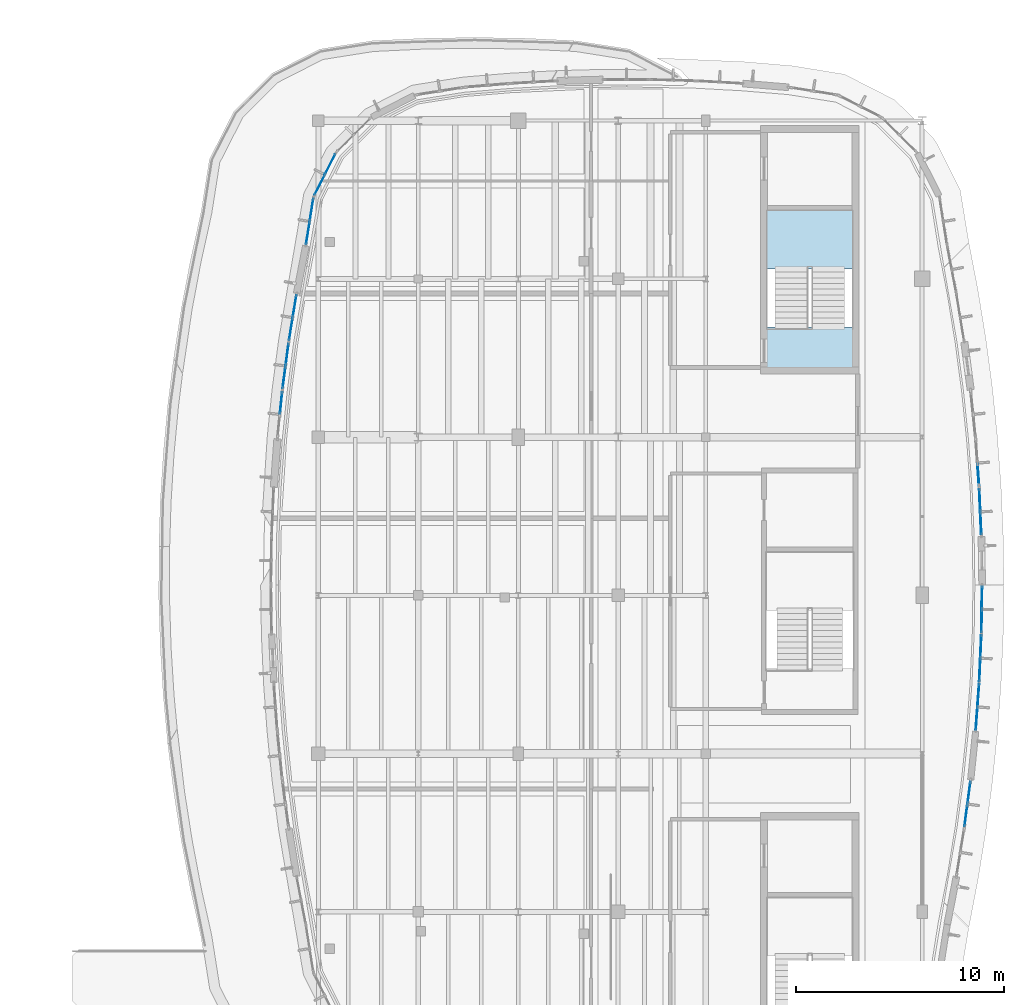
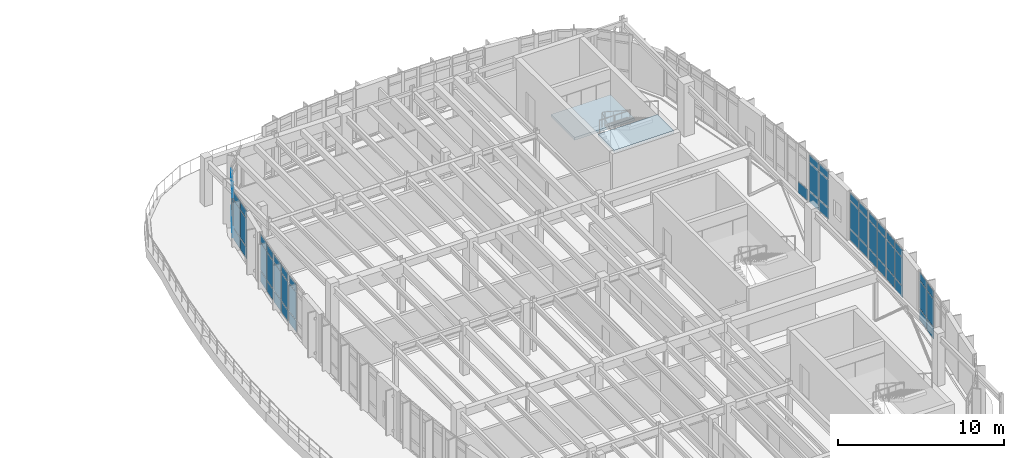
# One storey, part 73 of 105: 58 plates, 2 slabs, 12 elements without a shape of their own.
"""IFC4 building model written with IfcOpenShell, lengths in metres."""

from ifc_helpers import new_model, si_unit, direction, frame, origin, origin_2d, place, context, subcontext, project, spatial, polyline, rectangle, outline, extrude, material, layer, layer_set, type_object, element, aggregate, save


model = new_model("IFC4")

# Units and contexts
model_context = context("Model", 3, precision=1e-05, world=origin(), true_north=direction((0.0, 1.0)))
body_context = subcontext(model_context, "Body", "Model", "MODEL_VIEW")
ifc_project = project(units=[si_unit("LENGTHUNIT", "METRE"), si_unit("AREAUNIT", "SQUARE_METRE"), si_unit("VOLUMEUNIT", "CUBIC_METRE"), si_unit("PLANEANGLEUNIT", "RADIAN"), si_unit("MASSUNIT", "GRAM", prefix="KILO")], contexts=[model_context])

# Site, building, storey
site_placement = place(None, origin())
site = spatial("IfcSite", under=ifc_project, at=site_placement, CompositionType="ELEMENT")
building_placement = place(site_placement, origin())
building = spatial("IfcBuilding", under=site, at=building_placement, Name="Corveleigh Park Community Centre", CompositionType="ELEMENT")
storey_placement = place(building_placement, frame((0.0, 0.0, 8.699951171875)))
storey = spatial("IfcBuildingStorey", under=building, at=storey_placement, Name="L02", CompositionType="ELEMENT", Elevation=8.699951171875)

# Curtain wall, plates
ifc_material_1 = material(Name="Anodised aluminium 6063-T6", Category="aluminium")
curtain_wall_type = type_object("IfcCurtainWallType", Name="CW-SYS-V4-L01", PredefinedType="NOTDEFINED", material=ifc_material_1)
curtain_wall_1_placement = place(storey_placement, origin())
curtain_wall_1 = element("IfcCurtainWall", 1, at=curtain_wall_1_placement, inside=storey, type_object=curtain_wall_type, Name="V4 L02 Curtain Wall 386", PredefinedType="NOTDEFINED")
ifc_material_2 = material(Name="Low-E double glazing", Category="glass")
ifc_layer_1 = layer(ifc_material_2, 0.02392578125, Name="Low-E double glazing", Category="glass")
ifc_layer_set_1 = layer_set([ifc_layer_1], Name="Low-E double glazing")
plate_type_1 = type_object("IfcPlateType", Name="CWP-GLZ-24", PredefinedType="CURTAIN_PANEL", material=ifc_layer_set_1)
plate_1_placement = place(storey_placement, frame((139.45751953125, 101.10986328125, 0.06005859375), z_axis=(0.0, 0.0, 1.0), x_axis=(0.454153628935, 0.8909233869, 0.0)))
plate_1 = element("IfcPlate", 2, at=plate_1_placement, type_object=plate_type_1, Name="CW08 panel 1.1", PredefinedType="CURTAIN_PANEL", context=body_context, shape_type="SweptSolid", body=[
    extrude(rectangle(XDim=1.052978515625, YDim=0.02392578125, at=origin_2d()), origin(), (0.0, 0.0, 1.0), 0.81005859375),
])
plate_2_placement = place(storey_placement, frame((139.45751953125, 101.10986328125, 0.93017578125), z_axis=(0.0, 0.0, 1.0), x_axis=(0.454153628935, 0.8909233869, 0.0)))
plate_2 = element("IfcPlate", 3, at=plate_2_placement, type_object=plate_type_1, Name="CW08 panel 1.2", PredefinedType="CURTAIN_PANEL", context=body_context, shape_type="SweptSolid", body=[
    extrude(rectangle(XDim=1.052978515625, YDim=0.02392578125, at=origin_2d()), origin(), (0.0, 0.0, 1.0), 2.027099609375),
])
plate_3_placement = place(storey_placement, frame((139.45751953125, 101.10986328125, 3.01708984375), z_axis=(0.0, 0.0, 1.0), x_axis=(0.454153628935, 0.8909233869, 0.0)))
plate_3 = element("IfcPlate", 4, at=plate_3_placement, type_object=plate_type_1, Name="CW08 panel 1.3", PredefinedType="CURTAIN_PANEL", context=body_context, shape_type="SweptSolid", body=[
    extrude(rectangle(XDim=1.052978515625, YDim=0.02392578125, at=origin_2d()), origin(), (0.0, 0.0, 1.0), 0.56005859375),
])
plate_4_placement = place(storey_placement, frame((139.96533203125, 102.10595703125, 0.06005859375), z_axis=(0.0, 0.0, 1.0), x_axis=(0.454153628935, 0.8909233869, 0.0)))
plate_4 = element("IfcPlate", 5, at=plate_4_placement, type_object=plate_type_1, Name="CW08 panel 2.1", PredefinedType="CURTAIN_PANEL", context=body_context, shape_type="SweptSolid", body=[
    extrude(rectangle(XDim=1.052978515625, YDim=0.02392578125, at=origin_2d()), origin(), (0.0, 0.0, 1.0), 0.81005859375),
])
plate_5_placement = place(storey_placement, frame((139.96533203125, 102.10595703125, 0.93017578125), z_axis=(0.0, 0.0, 1.0), x_axis=(0.454153628935, 0.8909233869, 0.0)))
plate_5 = element("IfcPlate", 6, at=plate_5_placement, type_object=plate_type_1, Name="CW08 panel 2.2", PredefinedType="CURTAIN_PANEL", context=body_context, shape_type="SweptSolid", body=[
    extrude(rectangle(XDim=1.052978515625, YDim=0.02392578125, at=origin_2d()), origin(), (0.0, 0.0, 1.0), 2.027099609375),
])
plate_6_placement = place(storey_placement, frame((139.96533203125, 102.10595703125, 3.01708984375), z_axis=(0.0, 0.0, 1.0), x_axis=(0.454153628935, 0.8909233869, 0.0)))
plate_6 = element("IfcPlate", 7, at=plate_6_placement, type_object=plate_type_1, Name="CW08 panel 2.3", PredefinedType="CURTAIN_PANEL", context=body_context, shape_type="SweptSolid", body=[
    extrude(rectangle(XDim=1.052978515625, YDim=0.02392578125, at=origin_2d()), origin(), (0.0, 0.0, 1.0), 0.56005859375),
])
aggregate(curtain_wall_1, [plate_1, plate_2, plate_3, plate_4, plate_5, plate_6])

curtain_wall_2_placement = place(storey_placement, origin())
curtain_wall_2 = element("IfcCurtainWall", 8, at=curtain_wall_2_placement, inside=storey, type_object=curtain_wall_type, Name="V4 L02 Curtain Wall 387", PredefinedType="NOTDEFINED")
ifc_layer_2 = layer(ifc_material_2, 0.028076171875, Name="Low-E double glazing", Category="glass")
ifc_layer_set_2 = layer_set([ifc_layer_2], Name="Low-E double glazing")
plate_type_2 = type_object("IfcPlateType", Name="CWP-GLZ-28", PredefinedType="CURTAIN_PANEL", material=ifc_layer_set_2)
plate_7_placement = place(storey_placement, frame((138.89501953125, 98.8017578125, 0.06494140625), z_axis=(0.0, 0.0, 1.0), x_axis=(0.156601470208, 0.987661875101, 0.0)))
plate_7 = element("IfcPlate", 9, at=plate_7_placement, type_object=plate_type_2, Name="CW08 panel 1.1", PredefinedType="CURTAIN_PANEL", context=body_context, shape_type="SweptSolid", body=[
    extrude(rectangle(XDim=1.060302734375, YDim=0.028076171875, at=origin_2d()), origin(), (0.0, 0.0, 1.0), 0.802490234375),
])
plate_8_placement = place(storey_placement, frame((138.89501953125, 98.8017578125, 0.9326171875), z_axis=(0.0, 0.0, 1.0), x_axis=(0.156601470208, 0.987661875101, 0.0)))
plate_8 = element("IfcPlate", 10, at=plate_8_placement, type_object=plate_type_2, Name="CW08 panel 1.2", PredefinedType="CURTAIN_PANEL", context=body_context, shape_type="SweptSolid", body=[
    extrude(rectangle(XDim=1.060302734375, YDim=0.028076171875, at=origin_2d()), origin(), (0.0, 0.0, 1.0), 2.02197265625),
])
plate_9_placement = place(storey_placement, frame((138.89501953125, 98.8017578125, 3.01953125), z_axis=(0.0, 0.0, 1.0), x_axis=(0.156601470208, 0.987661875101, 0.0)))
plate_9 = element("IfcPlate", 11, at=plate_9_placement, type_object=plate_type_2, Name="CW08 panel 1.3", PredefinedType="CURTAIN_PANEL", context=body_context, shape_type="SweptSolid", body=[
    extrude(rectangle(XDim=1.060302734375, YDim=0.028076171875, at=origin_2d()), origin(), (0.0, 0.0, 1.0), 0.552490234375),
])
plate_10_placement = place(storey_placement, frame((139.072021484375, 99.918212890625, 0.06494140625), z_axis=(0.0, 0.0, 1.0), x_axis=(0.156601470208, 0.987661875101, 0.0)))
plate_10 = element("IfcPlate", 12, at=plate_10_placement, type_object=plate_type_2, Name="CW08 panel 2.1", PredefinedType="CURTAIN_PANEL", context=body_context, shape_type="SweptSolid", body=[
    extrude(rectangle(XDim=1.060302734375, YDim=0.028076171875, at=origin_2d()), origin(), (0.0, 0.0, 1.0), 0.802490234375),
])
plate_11_placement = place(storey_placement, frame((139.072021484375, 99.918212890625, 0.9326171875), z_axis=(0.0, 0.0, 1.0), x_axis=(0.156601470208, 0.987661875101, 0.0)))
plate_11 = element("IfcPlate", 13, at=plate_11_placement, type_object=plate_type_2, Name="CW08 panel 2.2", PredefinedType="CURTAIN_PANEL", context=body_context, shape_type="SweptSolid", body=[
    extrude(rectangle(XDim=1.060302734375, YDim=0.028076171875, at=origin_2d()), origin(), (0.0, 0.0, 1.0), 2.02197265625),
])
plate_12_placement = place(storey_placement, frame((139.072021484375, 99.918212890625, 3.01953125), z_axis=(0.0, 0.0, 1.0), x_axis=(0.156601470208, 0.987661875101, 0.0)))
plate_12 = element("IfcPlate", 14, at=plate_12_placement, type_object=plate_type_2, Name="CW08 panel 2.3", PredefinedType="CURTAIN_PANEL", context=body_context, shape_type="SweptSolid", body=[
    extrude(rectangle(XDim=1.060302734375, YDim=0.028076171875, at=origin_2d()), origin(), (0.0, 0.0, 1.0), 0.552490234375),
])
aggregate(curtain_wall_2, [plate_7, plate_8, plate_9, plate_10, plate_11, plate_12])

curtain_wall_3_placement = place(storey_placement, origin())
curtain_wall_3 = element("IfcCurtainWall", 15, at=curtain_wall_3_placement, inside=storey, type_object=curtain_wall_type, Name="V4 L02 Curtain Wall 388", PredefinedType="NOTDEFINED")
plate_13_placement = place(storey_placement, frame((138.077392578125, 94.1845703125, 0.070068359375), z_axis=(0.0, 0.0, 1.0), x_axis=(0.160772991165, 0.986991410962, 0.0)))
plate_13 = element("IfcPlate", 16, at=plate_13_placement, type_object=plate_type_2, Name="CW08 panel 1.1", PredefinedType="CURTAIN_PANEL", context=body_context, shape_type="SweptSolid", body=[
    extrude(rectangle(XDim=1.050537109375, YDim=0.028076171875, at=origin_2d()), origin(), (0.0, 0.0, 1.0), 0.794921875),
])
plate_14_placement = place(storey_placement, frame((138.077392578125, 94.1845703125, 0.93505859375), z_axis=(0.0, 0.0, 1.0), x_axis=(0.160772991165, 0.986991410962, 0.0)))
plate_14 = element("IfcPlate", 17, at=plate_14_placement, type_object=plate_type_2, Name="CW08 panel 1.2", PredefinedType="CURTAIN_PANEL", context=body_context, shape_type="SweptSolid", body=[
    extrude(rectangle(XDim=1.050537109375, YDim=0.028076171875, at=origin_2d()), origin(), (0.0, 0.0, 1.0), 2.01708984375),
])
plate_15_placement = place(storey_placement, frame((138.077392578125, 94.1845703125, 3.02197265625), z_axis=(0.0, 0.0, 1.0), x_axis=(0.160772991165, 0.986991410962, 0.0)))
plate_15 = element("IfcPlate", 18, at=plate_15_placement, type_object=plate_type_2, Name="CW08 panel 1.3", PredefinedType="CURTAIN_PANEL", context=body_context, shape_type="SweptSolid", body=[
    extrude(rectangle(XDim=1.050537109375, YDim=0.028076171875, at=origin_2d()), origin(), (0.0, 0.0, 1.0), 0.544921875),
])
plate_16_placement = place(storey_placement, frame((138.258544921875, 95.29541015625, 0.070068359375), z_axis=(0.0, 0.0, 1.0), x_axis=(0.160772991165, 0.986991410962, 0.0)))
plate_16 = element("IfcPlate", 19, at=plate_16_placement, type_object=plate_type_2, Name="CW08 panel 2.1", PredefinedType="CURTAIN_PANEL", context=body_context, shape_type="SweptSolid", body=[
    extrude(rectangle(XDim=1.050537109375, YDim=0.028076171875, at=origin_2d()), origin(), (0.0, 0.0, 1.0), 0.794921875),
])
plate_17_placement = place(storey_placement, frame((138.258544921875, 95.29541015625, 0.93505859375), z_axis=(0.0, 0.0, 1.0), x_axis=(0.160772991165, 0.986991410962, 0.0)))
plate_17 = element("IfcPlate", 20, at=plate_17_placement, type_object=plate_type_2, Name="CW08 panel 2.2", PredefinedType="CURTAIN_PANEL", context=body_context, shape_type="SweptSolid", body=[
    extrude(rectangle(XDim=1.050537109375, YDim=0.028076171875, at=origin_2d()), origin(), (0.0, 0.0, 1.0), 2.01708984375),
])
plate_18_placement = place(storey_placement, frame((138.258544921875, 95.29541015625, 3.02197265625), z_axis=(0.0, 0.0, 1.0), x_axis=(0.160772991165, 0.986991410962, 0.0)))
plate_18 = element("IfcPlate", 21, at=plate_18_placement, type_object=plate_type_2, Name="CW08 panel 2.3", PredefinedType="CURTAIN_PANEL", context=body_context, shape_type="SweptSolid", body=[
    extrude(rectangle(XDim=1.050537109375, YDim=0.028076171875, at=origin_2d()), origin(), (0.0, 0.0, 1.0), 0.544921875),
])
aggregate(curtain_wall_3, [plate_13, plate_14, plate_15, plate_16, plate_17, plate_18])

curtain_wall_4_placement = place(storey_placement, origin())
curtain_wall_4 = element("IfcCurtainWall", 22, at=curtain_wall_4_placement, inside=storey, type_object=curtain_wall_type, Name="V4 L02 Curtain Wall 366", PredefinedType="NOTDEFINED")
ifc_layer_3 = layer(ifc_material_2, 0.031982421875, Name="Low-E double glazing", Category="glass")
ifc_layer_set_3 = layer_set([ifc_layer_3], Name="Low-E double glazing")
plate_type_3 = type_object("IfcPlateType", Name="CWP-GLZ-32", PredefinedType="CURTAIN_PANEL", material=ifc_layer_set_3)
plate_19_placement = place(storey_placement, frame((170.647705078125, 71.935302734375, 0.06005859375), z_axis=(0.0, 0.0, 1.0), x_axis=(-0.131488178592, -0.991317738614, 0.0)))
plate_19 = element("IfcPlate", 23, at=plate_19_placement, type_object=plate_type_3, Name="CW08 panel 1.1", PredefinedType="CURTAIN_PANEL", context=body_context, shape_type="SweptSolid", body=[
    extrude(rectangle(XDim=1.0361328125, YDim=0.031982421875, at=origin_2d()), origin(), (0.0, 0.0, 1.0), 0.81005859375),
])
plate_20_placement = place(storey_placement, frame((170.647705078125, 71.935302734375, 0.93017578125), z_axis=(0.0, 0.0, 1.0), x_axis=(-0.131488178592, -0.991317738614, 0.0)))
plate_20 = element("IfcPlate", 24, at=plate_20_placement, type_object=plate_type_3, Name="CW08 panel 1.2", PredefinedType="CURTAIN_PANEL", context=body_context, shape_type="SweptSolid", body=[
    extrude(rectangle(XDim=1.0361328125, YDim=0.031982421875, at=origin_2d()), origin(), (0.0, 0.0, 1.0), 2.031982421875),
])
plate_21_placement = place(storey_placement, frame((170.647705078125, 71.935302734375, 3.02197265625), z_axis=(0.0, 0.0, 1.0), x_axis=(-0.131488178592, -0.991317738614, 0.0)))
plate_21 = element("IfcPlate", 25, at=plate_21_placement, type_object=plate_type_3, Name="CW08 panel 1.3", PredefinedType="CURTAIN_PANEL", context=body_context, shape_type="SweptSolid", body=[
    extrude(rectangle(XDim=1.0361328125, YDim=0.031982421875, at=origin_2d()), origin(), (0.0, 0.0, 1.0), 0.56005859375),
])
plate_22_placement = place(storey_placement, frame((170.500244140625, 70.82373046875, 0.06005859375), z_axis=(0.0, 0.0, 1.0), x_axis=(-0.131488178592, -0.991317738614, 0.0)))
plate_22 = element("IfcPlate", 26, at=plate_22_placement, type_object=plate_type_3, Name="CW08 panel 2.1", PredefinedType="CURTAIN_PANEL", context=body_context, shape_type="SweptSolid", body=[
    extrude(rectangle(XDim=1.0361328125, YDim=0.031982421875, at=origin_2d()), origin(), (0.0, 0.0, 1.0), 0.81005859375),
])
plate_23_placement = place(storey_placement, frame((170.500244140625, 70.82373046875, 0.93017578125), z_axis=(0.0, 0.0, 1.0), x_axis=(-0.131488178592, -0.991317738614, 0.0)))
plate_23 = element("IfcPlate", 27, at=plate_23_placement, type_object=plate_type_3, Name="CW08 panel 2.2", PredefinedType="CURTAIN_PANEL", context=body_context, shape_type="SweptSolid", body=[
    extrude(rectangle(XDim=1.0361328125, YDim=0.031982421875, at=origin_2d()), origin(), (0.0, 0.0, 1.0), 2.031982421875),
])
plate_24_placement = place(storey_placement, frame((170.500244140625, 70.82373046875, 3.02197265625), z_axis=(0.0, 0.0, 1.0), x_axis=(-0.131488178592, -0.991317738614, 0.0)))
plate_24 = element("IfcPlate", 28, at=plate_24_placement, type_object=plate_type_3, Name="CW08 panel 2.3", PredefinedType="CURTAIN_PANEL", context=body_context, shape_type="SweptSolid", body=[
    extrude(rectangle(XDim=1.0361328125, YDim=0.031982421875, at=origin_2d()), origin(), (0.0, 0.0, 1.0), 0.56005859375),
])
aggregate(curtain_wall_4, [plate_19, plate_20, plate_21, plate_22, plate_23, plate_24])

curtain_wall_5_placement = place(storey_placement, origin())
curtain_wall_5 = element("IfcCurtainWall", 29, at=curtain_wall_5_placement, inside=storey, type_object=curtain_wall_type, Name="V4 L02 Curtain Wall 389", PredefinedType="NOTDEFINED")
plate_25_placement = place(storey_placement, frame((137.752197265625, 91.863525390625, 0.074951171875), z_axis=(0.0, 0.0, 1.0), x_axis=(0.131488178592, 0.991317738614, 0.0)))
plate_25 = element("IfcPlate", 30, at=plate_25_placement, type_object=plate_type_3, Name="CW08 panel 1.1", PredefinedType="CURTAIN_PANEL", context=body_context, shape_type="SweptSolid", body=[
    extrude(rectangle(XDim=1.043701171875, YDim=0.031982421875, at=origin_2d()), origin(), (0.0, 0.0, 1.0), 0.78759765625),
])
plate_26_placement = place(storey_placement, frame((137.752197265625, 91.863525390625, 0.9375), z_axis=(0.0, 0.0, 1.0), x_axis=(0.131488178592, 0.991317738614, 0.0)))
plate_26 = element("IfcPlate", 31, at=plate_26_placement, type_object=plate_type_3, Name="CW08 panel 1.2", PredefinedType="CURTAIN_PANEL", context=body_context, shape_type="SweptSolid", body=[
    extrude(rectangle(XDim=1.043701171875, YDim=0.031982421875, at=origin_2d()), origin(), (0.0, 0.0, 1.0), 2.011962890625),
])
plate_27_placement = place(storey_placement, frame((137.752197265625, 91.863525390625, 3.0244140625), z_axis=(0.0, 0.0, 1.0), x_axis=(0.131488178592, 0.991317738614, 0.0)))
plate_27 = element("IfcPlate", 32, at=plate_27_placement, type_object=plate_type_3, Name="CW08 panel 1.3", PredefinedType="CURTAIN_PANEL", context=body_context, shape_type="SweptSolid", body=[
    extrude(rectangle(XDim=1.043701171875, YDim=0.031982421875, at=origin_2d()), origin(), (0.0, 0.0, 1.0), 0.53759765625),
])
plate_28_placement = place(storey_placement, frame((137.89990234375, 92.9775390625, 0.074951171875), z_axis=(0.0, 0.0, 1.0), x_axis=(0.131488178592, 0.991317738614, 0.0)))
plate_28 = element("IfcPlate", 33, at=plate_28_placement, type_object=plate_type_3, Name="CW08 panel 2.1", PredefinedType="CURTAIN_PANEL", context=body_context, shape_type="SweptSolid", body=[
    extrude(rectangle(XDim=1.043701171875, YDim=0.031982421875, at=origin_2d()), origin(), (0.0, 0.0, 1.0), 0.78759765625),
])
plate_29_placement = place(storey_placement, frame((137.89990234375, 92.9775390625, 0.9375), z_axis=(0.0, 0.0, 1.0), x_axis=(0.131488178592, 0.991317738614, 0.0)))
plate_29 = element("IfcPlate", 34, at=plate_29_placement, type_object=plate_type_3, Name="CW08 panel 2.2", PredefinedType="CURTAIN_PANEL", context=body_context, shape_type="SweptSolid", body=[
    extrude(rectangle(XDim=1.043701171875, YDim=0.031982421875, at=origin_2d()), origin(), (0.0, 0.0, 1.0), 2.011962890625),
])
plate_30_placement = place(storey_placement, frame((137.89990234375, 92.9775390625, 3.0244140625), z_axis=(0.0, 0.0, 1.0), x_axis=(0.131488178592, 0.991317738614, 0.0)))
plate_30 = element("IfcPlate", 35, at=plate_30_placement, type_object=plate_type_3, Name="CW08 panel 2.3", PredefinedType="CURTAIN_PANEL", context=body_context, shape_type="SweptSolid", body=[
    extrude(rectangle(XDim=1.043701171875, YDim=0.031982421875, at=origin_2d()), origin(), (0.0, 0.0, 1.0), 0.53759765625),
])
aggregate(curtain_wall_5, [plate_25, plate_26, plate_27, plate_28, plate_29, plate_30])

curtain_wall_6_placement = place(storey_placement, origin())
curtain_wall_6 = element("IfcCurtainWall", 36, at=curtain_wall_6_placement, inside=storey, type_object=curtain_wall_type, Name="V4 L02 Curtain Wall 390", PredefinedType="NOTDEFINED")
plate_31_placement = place(storey_placement, frame((137.609375, 90.6494140625, 0.080078125), z_axis=(0.0, 0.0, 1.0), x_axis=(0.102312467526, 0.994752310371, 0.0)))
plate_31 = element("IfcPlate", 37, at=plate_31_placement, type_object=plate_type_3, Name="CW08 panel 2.1", PredefinedType="CURTAIN_PANEL", context=body_context, shape_type="SweptSolid", body=[
    extrude(rectangle(XDim=1.03564453125, YDim=0.031982421875, at=origin_2d()), origin(), (0.0, 0.0, 1.0), 0.780029296875),
])
plate_32_placement = place(storey_placement, frame((137.609375, 90.6494140625, 0.93994140625), z_axis=(0.0, 0.0, 1.0), x_axis=(0.102312467526, 0.994752310371, 0.0)))
plate_32 = element("IfcPlate", 38, at=plate_32_placement, type_object=plate_type_3, Name="CW08 panel 2.2", PredefinedType="CURTAIN_PANEL", context=body_context, shape_type="SweptSolid", body=[
    extrude(rectangle(XDim=1.03564453125, YDim=0.031982421875, at=origin_2d()), origin(), (0.0, 0.0, 1.0), 2.007080078125),
])
plate_33_placement = place(storey_placement, frame((137.609375, 90.6494140625, 3.02685546875), z_axis=(0.0, 0.0, 1.0), x_axis=(0.102312467526, 0.994752310371, 0.0)))
plate_33 = element("IfcPlate", 39, at=plate_33_placement, type_object=plate_type_3, Name="CW08 panel 2.3", PredefinedType="CURTAIN_PANEL", context=body_context, shape_type="SweptSolid", body=[
    extrude(rectangle(XDim=1.03564453125, YDim=0.031982421875, at=origin_2d()), origin(), (0.0, 0.0, 1.0), 0.530029296875),
])
aggregate(curtain_wall_6, [plate_31, plate_32, plate_33])

curtain_wall_7_placement = place(storey_placement, origin())
curtain_wall_7 = element("IfcCurtainWall", 40, at=curtain_wall_7_placement, inside=storey, type_object=curtain_wall_type, Name="V4 L02 Curtain Wall 367", PredefinedType="NOTDEFINED")
ifc_layer_4 = layer(ifc_material_2, 0.035888671875, Name="Low-E double glazing", Category="glass")
ifc_layer_set_4 = layer_set([ifc_layer_4], Name="Low-E double glazing")
plate_type_4 = type_object("IfcPlateType", Name="CWP-GLZ-36", PredefinedType="CURTAIN_PANEL", material=ifc_layer_set_4)
plate_34_placement = place(storey_placement, frame((171.095458984375, 76.60888671875, 0.06494140625), z_axis=(0.0, 0.0, 1.0), x_axis=(-0.073048610443, -0.997328381483, 0.0)))
plate_34 = element("IfcPlate", 41, at=plate_34_placement, type_object=plate_type_4, Name="CW08 panel 1.1", PredefinedType="CURTAIN_PANEL", context=body_context, shape_type="SweptSolid", body=[
    extrude(rectangle(XDim=1.07373046875, YDim=0.035888671875, at=origin_2d()), origin(), (0.0, 0.0, 1.0), 0.802490234375),
])
plate_35_placement = place(storey_placement, frame((171.095458984375, 76.60888671875, 0.9326171875), z_axis=(0.0, 0.0, 1.0), x_axis=(-0.073048610443, -0.997328381483, 0.0)))
plate_35 = element("IfcPlate", 42, at=plate_35_placement, type_object=plate_type_4, Name="CW08 panel 1.2", PredefinedType="CURTAIN_PANEL", context=body_context, shape_type="SweptSolid", body=[
    extrude(rectangle(XDim=1.07373046875, YDim=0.035888671875, at=origin_2d()), origin(), (0.0, 0.0, 1.0), 2.027099609375),
])
plate_36_placement = place(storey_placement, frame((171.095458984375, 76.60888671875, 3.0244140625), z_axis=(0.0, 0.0, 1.0), x_axis=(-0.073048610443, -0.997328381483, 0.0)))
plate_36 = element("IfcPlate", 43, at=plate_36_placement, type_object=plate_type_4, Name="CW08 panel 1.3", PredefinedType="CURTAIN_PANEL", context=body_context, shape_type="SweptSolid", body=[
    extrude(rectangle(XDim=1.07373046875, YDim=0.035888671875, at=origin_2d()), origin(), (0.0, 0.0, 1.0), 0.552490234375),
])
plate_37_placement = place(storey_placement, frame((171.0126953125, 75.478271484375, 0.06494140625), z_axis=(0.0, 0.0, 1.0), x_axis=(-0.073048610443, -0.997328381483, 0.0)))
plate_37 = element("IfcPlate", 44, at=plate_37_placement, type_object=plate_type_4, Name="CW08 panel 2.1", PredefinedType="CURTAIN_PANEL", context=body_context, shape_type="SweptSolid", body=[
    extrude(rectangle(XDim=1.07373046875, YDim=0.035888671875, at=origin_2d()), origin(), (0.0, 0.0, 1.0), 0.802490234375),
])
plate_38_placement = place(storey_placement, frame((171.0126953125, 75.478271484375, 0.9326171875), z_axis=(0.0, 0.0, 1.0), x_axis=(-0.073048610443, -0.997328381483, 0.0)))
plate_38 = element("IfcPlate", 45, at=plate_38_placement, type_object=plate_type_4, Name="CW08 panel 2.2", PredefinedType="CURTAIN_PANEL", context=body_context, shape_type="SweptSolid", body=[
    extrude(rectangle(XDim=1.07373046875, YDim=0.035888671875, at=origin_2d()), origin(), (0.0, 0.0, 1.0), 2.027099609375),
])
plate_39_placement = place(storey_placement, frame((171.0126953125, 75.478271484375, 3.0244140625), z_axis=(0.0, 0.0, 1.0), x_axis=(-0.073048610443, -0.997328381483, 0.0)))
plate_39 = element("IfcPlate", 46, at=plate_39_placement, type_object=plate_type_4, Name="CW08 panel 2.3", PredefinedType="CURTAIN_PANEL", context=body_context, shape_type="SweptSolid", body=[
    extrude(rectangle(XDim=1.07373046875, YDim=0.035888671875, at=origin_2d()), origin(), (0.0, 0.0, 1.0), 0.552490234375),
])
aggregate(curtain_wall_7, [plate_34, plate_35, plate_36, plate_37, plate_38, plate_39])

curtain_wall_8_placement = place(storey_placement, origin())
curtain_wall_8 = element("IfcCurtainWall", 47, at=curtain_wall_8_placement, inside=storey, type_object=curtain_wall_type, Name="V4 L02 Curtain Wall 368", PredefinedType="NOTDEFINED")
plate_40_placement = place(storey_placement, frame((171.216552734375, 78.94873046875, 0.070068359375), z_axis=(0.0, 0.0, 1.0), x_axis=(-0.044276673248, -0.999019307224, 0.0)))
plate_40 = element("IfcPlate", 48, at=plate_40_placement, type_object=plate_type_4, Name="CW08 panel 1.1", PredefinedType="CURTAIN_PANEL", context=body_context, shape_type="SweptSolid", body=[
    extrude(rectangle(XDim=1.065673828125, YDim=0.035888671875, at=origin_2d()), origin(), (0.0, 0.0, 1.0), 0.794921875),
])
plate_41_placement = place(storey_placement, frame((171.216552734375, 78.94873046875, 0.93505859375), z_axis=(0.0, 0.0, 1.0), x_axis=(-0.044276673248, -0.999019307224, 0.0)))
plate_41 = element("IfcPlate", 49, at=plate_41_placement, type_object=plate_type_4, Name="CW08 panel 1.2", PredefinedType="CURTAIN_PANEL", context=body_context, shape_type="SweptSolid", body=[
    extrude(rectangle(XDim=1.065673828125, YDim=0.035888671875, at=origin_2d()), origin(), (0.0, 0.0, 1.0), 2.02197265625),
])
plate_42_placement = place(storey_placement, frame((171.216552734375, 78.94873046875, 3.027099609375), z_axis=(0.0, 0.0, 1.0), x_axis=(-0.044276673248, -0.999019307224, 0.0)))
plate_42 = element("IfcPlate", 50, at=plate_42_placement, type_object=plate_type_4, Name="CW08 panel 1.3", PredefinedType="CURTAIN_PANEL", context=body_context, shape_type="SweptSolid", body=[
    extrude(rectangle(XDim=1.065673828125, YDim=0.035888671875, at=origin_2d()), origin(), (0.0, 0.0, 1.0), 0.544921875),
])
plate_43_placement = place(storey_placement, frame((171.16650390625, 77.8193359375, 0.070068359375), z_axis=(0.0, 0.0, 1.0), x_axis=(-0.044276673248, -0.999019307224, 0.0)))
plate_43 = element("IfcPlate", 51, at=plate_43_placement, type_object=plate_type_4, Name="CW08 panel 2.1", PredefinedType="CURTAIN_PANEL", context=body_context, shape_type="SweptSolid", body=[
    extrude(rectangle(XDim=1.065673828125, YDim=0.035888671875, at=origin_2d()), origin(), (0.0, 0.0, 1.0), 0.794921875),
])
plate_44_placement = place(storey_placement, frame((171.16650390625, 77.8193359375, 0.93505859375), z_axis=(0.0, 0.0, 1.0), x_axis=(-0.044276673248, -0.999019307224, 0.0)))
plate_44 = element("IfcPlate", 52, at=plate_44_placement, type_object=plate_type_4, Name="CW08 panel 2.2", PredefinedType="CURTAIN_PANEL", context=body_context, shape_type="SweptSolid", body=[
    extrude(rectangle(XDim=1.065673828125, YDim=0.035888671875, at=origin_2d()), origin(), (0.0, 0.0, 1.0), 2.02197265625),
])
plate_45_placement = place(storey_placement, frame((171.16650390625, 77.8193359375, 3.027099609375), z_axis=(0.0, 0.0, 1.0), x_axis=(-0.044276673248, -0.999019307224, 0.0)))
plate_45 = element("IfcPlate", 53, at=plate_45_placement, type_object=plate_type_4, Name="CW08 panel 2.3", PredefinedType="CURTAIN_PANEL", context=body_context, shape_type="SweptSolid", body=[
    extrude(rectangle(XDim=1.065673828125, YDim=0.035888671875, at=origin_2d()), origin(), (0.0, 0.0, 1.0), 0.544921875),
])
aggregate(curtain_wall_8, [plate_40, plate_41, plate_42, plate_43, plate_44, plate_45])

curtain_wall_9_placement = place(storey_placement, origin())
curtain_wall_9 = element("IfcCurtainWall", 54, at=curtain_wall_9_placement, inside=storey, type_object=curtain_wall_type, Name="V4 L02 Curtain Wall 369", PredefinedType="NOTDEFINED")
ifc_layer_5 = layer(ifc_material_2, 0.0400390625, Name="Low-E double glazing", Category="glass")
ifc_layer_set_5 = layer_set([ifc_layer_5], Name="Low-E double glazing")
plate_type_5 = type_object("IfcPlateType", Name="CWP-GLZ-40", PredefinedType="CURTAIN_PANEL", material=ifc_layer_set_5)
plate_46_placement = place(storey_placement, frame((171.268310546875, 81.291748046875, 0.074951171875), z_axis=(0.0, 0.0, 1.0), x_axis=(-0.014609527863, -0.999893275153, 0.0)))
plate_46 = element("IfcPlate", 55, at=plate_46_placement, type_object=plate_type_5, Name="CW08 panel 1.1", PredefinedType="CURTAIN_PANEL", context=body_context, shape_type="SweptSolid", body=[
    extrude(rectangle(XDim=1.05859375, YDim=0.0400390625, at=origin_2d()), origin(), (0.0, 0.0, 1.0), 0.78759765625),
])
plate_47_placement = place(storey_placement, frame((171.268310546875, 81.291748046875, 0.9375), z_axis=(0.0, 0.0, 1.0), x_axis=(-0.014609527863, -0.999893275153, 0.0)))
plate_47 = element("IfcPlate", 56, at=plate_47_placement, type_object=plate_type_5, Name="CW08 panel 1.2", PredefinedType="CURTAIN_PANEL", context=body_context, shape_type="SweptSolid", body=[
    extrude(rectangle(XDim=1.05859375, YDim=0.0400390625, at=origin_2d()), origin(), (0.0, 0.0, 1.0), 2.01708984375),
])
plate_48_placement = place(storey_placement, frame((171.268310546875, 81.291748046875, 3.029541015625), z_axis=(0.0, 0.0, 1.0), x_axis=(-0.014609527863, -0.999893275153, 0.0)))
plate_48 = element("IfcPlate", 57, at=plate_48_placement, type_object=plate_type_5, Name="CW08 panel 1.3", PredefinedType="CURTAIN_PANEL", context=body_context, shape_type="SweptSolid", body=[
    extrude(rectangle(XDim=1.05859375, YDim=0.0400390625, at=origin_2d()), origin(), (0.0, 0.0, 1.0), 0.53759765625),
])
plate_49_placement = place(storey_placement, frame((171.251708984375, 80.163330078125, 0.074951171875), z_axis=(0.0, 0.0, 1.0), x_axis=(-0.014609527863, -0.999893275153, 0.0)))
plate_49 = element("IfcPlate", 58, at=plate_49_placement, type_object=plate_type_5, Name="CW08 panel 2.1", PredefinedType="CURTAIN_PANEL", context=body_context, shape_type="SweptSolid", body=[
    extrude(rectangle(XDim=1.05859375, YDim=0.0400390625, at=origin_2d()), origin(), (0.0, 0.0, 1.0), 0.78759765625),
])
plate_50_placement = place(storey_placement, frame((171.251708984375, 80.163330078125, 0.9375), z_axis=(0.0, 0.0, 1.0), x_axis=(-0.014609527863, -0.999893275153, 0.0)))
plate_50 = element("IfcPlate", 59, at=plate_50_placement, type_object=plate_type_5, Name="CW08 panel 2.2", PredefinedType="CURTAIN_PANEL", context=body_context, shape_type="SweptSolid", body=[
    extrude(rectangle(XDim=1.05859375, YDim=0.0400390625, at=origin_2d()), origin(), (0.0, 0.0, 1.0), 2.01708984375),
])
plate_51_placement = place(storey_placement, frame((171.251708984375, 80.163330078125, 3.029541015625), z_axis=(0.0, 0.0, 1.0), x_axis=(-0.014609527863, -0.999893275153, 0.0)))
plate_51 = element("IfcPlate", 60, at=plate_51_placement, type_object=plate_type_5, Name="CW08 panel 2.3", PredefinedType="CURTAIN_PANEL", context=body_context, shape_type="SweptSolid", body=[
    extrude(rectangle(XDim=1.05859375, YDim=0.0400390625, at=origin_2d()), origin(), (0.0, 0.0, 1.0), 0.53759765625),
])
aggregate(curtain_wall_9, [plate_46, plate_47, plate_48, plate_49, plate_50, plate_51])

curtain_wall_10_placement = place(storey_placement, origin())
curtain_wall_10 = element("IfcCurtainWall", 61, at=curtain_wall_10_placement, inside=storey, type_object=curtain_wall_type, Name="V4 L02 Curtain Wall 370", PredefinedType="NOTDEFINED")
plate_52_placement = place(storey_placement, frame((171.16650390625, 85.978271484375, 0.080078125), z_axis=(0.0, 0.0, 1.0), x_axis=(0.044276673248, -0.999019307224, 0.0)))
plate_52 = element("IfcPlate", 62, at=plate_52_placement, type_object=plate_type_5, Name="CW08 panel 1.1", PredefinedType="CURTAIN_PANEL", context=body_context, shape_type="SweptSolid", body=[
    extrude(rectangle(XDim=1.050537109375, YDim=0.0400390625, at=origin_2d()), origin(), (0.0, 0.0, 1.0), 0.780029296875),
])
plate_53_placement = place(storey_placement, frame((171.16650390625, 85.978271484375, 0.93994140625), z_axis=(0.0, 0.0, 1.0), x_axis=(0.044276673248, -0.999019307224, 0.0)))
plate_53 = element("IfcPlate", 63, at=plate_53_placement, type_object=plate_type_5, Name="CW08 panel 1.2", PredefinedType="CURTAIN_PANEL", context=body_context, shape_type="SweptSolid", body=[
    extrude(rectangle(XDim=1.050537109375, YDim=0.0400390625, at=origin_2d()), origin(), (0.0, 0.0, 1.0), 2.011962890625),
])
plate_54_placement = place(storey_placement, frame((171.16650390625, 85.978271484375, 3.0322265625), z_axis=(0.0, 0.0, 1.0), x_axis=(0.044276673248, -0.999019307224, 0.0)))
plate_54 = element("IfcPlate", 64, at=plate_54_placement, type_object=plate_type_5, Name="CW08 panel 1.3", PredefinedType="CURTAIN_PANEL", context=body_context, shape_type="SweptSolid", body=[
    extrude(rectangle(XDim=1.050537109375, YDim=0.0400390625, at=origin_2d()), origin(), (0.0, 0.0, 1.0), 0.530029296875),
])
plate_55_placement = place(storey_placement, frame((171.21630859375, 84.853759765625, 0.080078125), z_axis=(0.0, 0.0, 1.0), x_axis=(0.044276673248, -0.999019307224, 0.0)))
plate_55 = element("IfcPlate", 65, at=plate_55_placement, type_object=plate_type_5, Name="CW08 panel 2.1", PredefinedType="CURTAIN_PANEL", context=body_context, shape_type="SweptSolid", body=[
    extrude(rectangle(XDim=1.050537109375, YDim=0.0400390625, at=origin_2d()), origin(), (0.0, 0.0, 1.0), 0.780029296875),
])
plate_56_placement = place(storey_placement, frame((171.21630859375, 84.853759765625, 0.93994140625), z_axis=(0.0, 0.0, 1.0), x_axis=(0.044276673248, -0.999019307224, 0.0)))
plate_56 = element("IfcPlate", 66, at=plate_56_placement, type_object=plate_type_5, Name="CW08 panel 2.2", PredefinedType="CURTAIN_PANEL", context=body_context, shape_type="SweptSolid", body=[
    extrude(rectangle(XDim=1.050537109375, YDim=0.0400390625, at=origin_2d()), origin(), (0.0, 0.0, 1.0), 2.011962890625),
])
plate_57_placement = place(storey_placement, frame((171.21630859375, 84.853759765625, 3.0322265625), z_axis=(0.0, 0.0, 1.0), x_axis=(0.044276673248, -0.999019307224, 0.0)))
plate_57 = element("IfcPlate", 67, at=plate_57_placement, type_object=plate_type_5, Name="CW08 panel 2.3", PredefinedType="CURTAIN_PANEL", context=body_context, shape_type="SweptSolid", body=[
    extrude(rectangle(XDim=1.050537109375, YDim=0.0400390625, at=origin_2d()), origin(), (0.0, 0.0, 1.0), 0.530029296875),
])
aggregate(curtain_wall_10, [plate_52, plate_53, plate_54, plate_55, plate_56, plate_57])

# Curtain wall, plate
curtain_wall_11_placement = place(storey_placement, origin())
curtain_wall_11 = element("IfcCurtainWall", 68, at=curtain_wall_11_placement, inside=storey, type_object=curtain_wall_type, Name="V4 L02 Curtain Wall 371", PredefinedType="NOTDEFINED")
ifc_layer_6 = layer(ifc_material_2, 0.0439453125, Name="Low-E double glazing", Category="glass")
ifc_layer_set_6 = layer_set([ifc_layer_6], Name="Low-E double glazing")
plate_type_6 = type_object("IfcPlateType", Name="CWP-GLZ-44", PredefinedType="CURTAIN_PANEL", material=ifc_layer_set_6)
plate_58_placement = place(storey_placement, frame((171.094970703125, 87.1962890625, 0.06005859375), z_axis=(0.0, 0.0, 1.0), x_axis=(0.073048610443, -0.997328381483, 0.0)))
plate_58 = element("IfcPlate", 69, at=plate_58_placement, type_object=plate_type_6, Name="CW08 panel 2.1", PredefinedType="CURTAIN_PANEL", context=body_context, shape_type="SweptSolid", body=[
    extrude(rectangle(XDim=1.043701171875, YDim=0.0439453125, at=origin_2d()), origin(), (0.0, 0.0, 1.0), 0.81005859375),
])
aggregate(curtain_wall_11, [plate_58])

# Stair, slabs
ifc_material_3 = material(Name="Concrete C32/40", Category="concrete")
stair_type = type_object("IfcStairType", Name="STR-HT-1600-390", PredefinedType="USERDEFINED", material=ifc_material_3)
stair_placement = place(storey_placement, origin())
stair = element("IfcStair", 70, at=stair_placement, inside=storey, type_object=stair_type, Name="Protected escape stair ST2 (L02 to L03)", ObjectType="TWO_RETURN_STAIR", PredefinedType="USERDEFINED")
ifc_layer_7 = layer(ifc_material_3, 0.18798828125, Name="Concrete C32/40", Category="concrete")
ifc_layer_set_7 = layer_set([ifc_layer_7], Name="Concrete C32/40")
slab_type = type_object("IfcSlabType", Name="SLB-LND-188", PredefinedType="LANDING", material=ifc_layer_set_7)
slab_1_placement = place(storey_placement, frame((0.0, 0.0, 1.761962890625)))
slab_1 = element("IfcSlab", 71, at=slab_1_placement, type_object=slab_type, Name="ST2 half landing", PredefinedType="LANDING", context=body_context, shape_type="SweptSolid", body=[
    extrude(outline(polyline([(160.927001953125, 97.0849609375), (165.072998046875, 97.0849609375), (165.072998046875, 99.923095703125), (160.927001953125, 99.923095703125), (160.927001953125, 97.0849609375)])), origin(), (0.0, 0.0, 1.0), 0.18798828125),
])
slab_2_placement = place(storey_placement, frame((0.0, 0.0, 3.712158203125)))
slab_2 = element("IfcSlab", 72, at=slab_2_placement, type_object=slab_type, Name="ST2 upper landing", PredefinedType="LANDING", context=body_context, shape_type="SweptSolid", body=[
    extrude(outline(polyline([(160.927001953125, 92.326904296875), (165.072998046875, 92.326904296875), (165.072998046875, 94.300048828125), (160.927001953125, 94.300048828125), (160.927001953125, 92.326904296875)])), origin(), (0.0, 0.0, 1.0), 0.18798828125),
])
aggregate(stair, [slab_1, slab_2])

save(model, "model.ifc")
